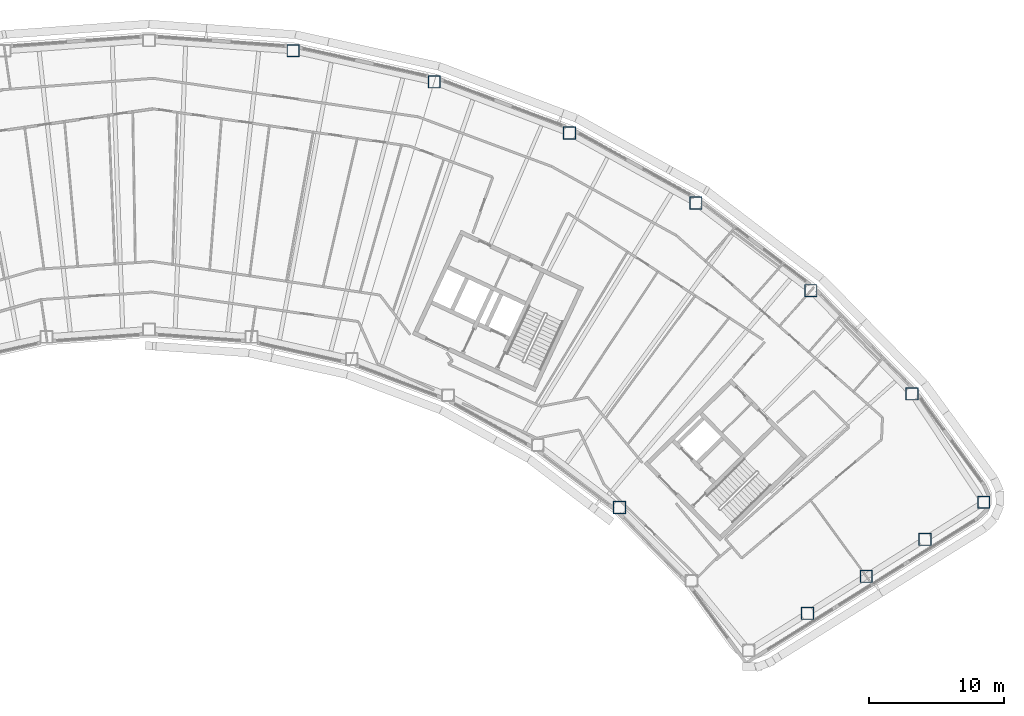
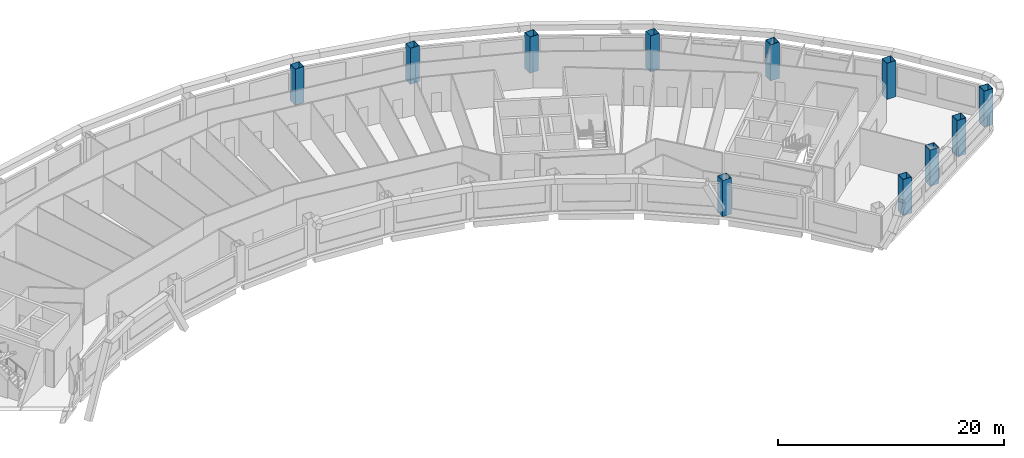
# One storey, part 2 of 17: 11 columns.
"""IFC4 building model written with IfcOpenShell, lengths in metres."""

from ifc_helpers import new_model, si_unit, direction, frame, origin, origin_2d, place, context, subcontext, project, spatial, hollow_rectangle, extrude, material, material_profile, profile_set, type_object, element, save


model = new_model("IFC4")

# Units and contexts
model_context = context("Model", 3, precision=1e-05, world=origin(), true_north=direction((0.0, 1.0)))
body_context = subcontext(model_context, "Body", "Model", "MODEL_VIEW")
ifc_project = project(units=[si_unit("LENGTHUNIT", "METRE"), si_unit("AREAUNIT", "SQUARE_METRE"), si_unit("VOLUMEUNIT", "CUBIC_METRE"), si_unit("PLANEANGLEUNIT", "RADIAN"), si_unit("MASSUNIT", "GRAM", prefix="KILO")], contexts=[model_context])

# Site, building, storey
site_placement = place(None, origin())
site = spatial("IfcSite", under=ifc_project, at=site_placement, CompositionType="ELEMENT")
building_placement = place(site_placement, origin())
building = spatial("IfcBuilding", under=site, at=building_placement, Name="Tuul Gate Civic Tower", CompositionType="ELEMENT")
storey_placement = place(building_placement, frame((0.0, 0.0, 222.10009765625)))
storey = spatial("IfcBuildingStorey", under=building, at=storey_placement, Name="Level 50", CompositionType="ELEMENT", Elevation=222.10009765625)

# Columns
ifc_material = material(Name="Steel S355", Category="steel")
ifc_material_profile = material_profile(ifc_material, hollow_rectangle(XDim=0.89990234375, YDim=0.89990234375, WallThickness=0.031982421875, at=origin_2d()), Name="BOX900x900x32")
ifc_profile_set = profile_set([ifc_material_profile], Name="Steel S355")
column_type = type_object("IfcColumnType", Name="STR-COLUMN-BOX900x900x32", PredefinedType="COLUMN", material=ifc_profile_set)
for number, where, z_axis, x_axis, name in (
    (1, (67.611083984375, -15.56298828125, 0.0), (0.0, 0.0, 1.0), (1.0, 0.0, 0.0), "Column"),
    (2, (62.31201171875, -7.550048828125, 0.0), (0.0, 0.0, 1.0), (1.0, 0.0, 0.0), "Column"),
    (3, (54.8369140625, 0.074951171875, 0.0), (0.0, 0.0, 1.0), (1.0, 0.0, 0.0), "Column"),
    (4, (46.342041015625, 6.54296875, 0.0), (0.0, 0.0, 1.0), (1.0, 0.0, 0.0), "Column"),
    (5, (37.0029296875, 11.718994140625, 0.0), (0.0, 0.0, 1.0), (1.0, 0.0, 0.0), "Column"),
    (6, (27.01611328125, 15.49609375, 0.0), (0.0, 0.0, 1.0), (1.0, 0.0, 0.0), "Column"),
    (7, (16.589111328125, 17.7939453125, 0.0), (0.0, 0.0, 1.0), (1.0, 0.0, 0.0), "Column"),
    (8, (40.7060546875, -15.93798828125, 0.0), (0.0, 0.0, 1.0), (1.0, 0.0, 0.0), "Column"),
    (9, (54.5830078125, -23.76708984375, 0.0), (0.0, 0.0, 1.0), (1.0, 0.0, 0.0), "Column"),
    (10, (58.926025390625, -21.031982421875, 0.0), (0.0, 0.0, 1.0), (1.0, 0.0, 0.0), "Column"),
    (11, (63.26806640625, -18.297119140625, 0.0), (0.0, 0.0, 1.0), (1.0, 0.0, 0.0), "Column"),
):
    element("IfcColumn", number, at=place(storey_placement, frame(where, z_axis=z_axis, x_axis=x_axis)), inside=storey, type_object=column_type, Name=name, PredefinedType="COLUMN", context=body_context, shape_type="SweptSolid", body=[
        extrude(hollow_rectangle(XDim=0.89990234375, YDim=0.89990234375, WallThickness=0.031982421875, at=origin_2d()), origin(), (0.0, 0.0, 1.0), 3.89990234375),
    ])

save(model, "model.ifc")
